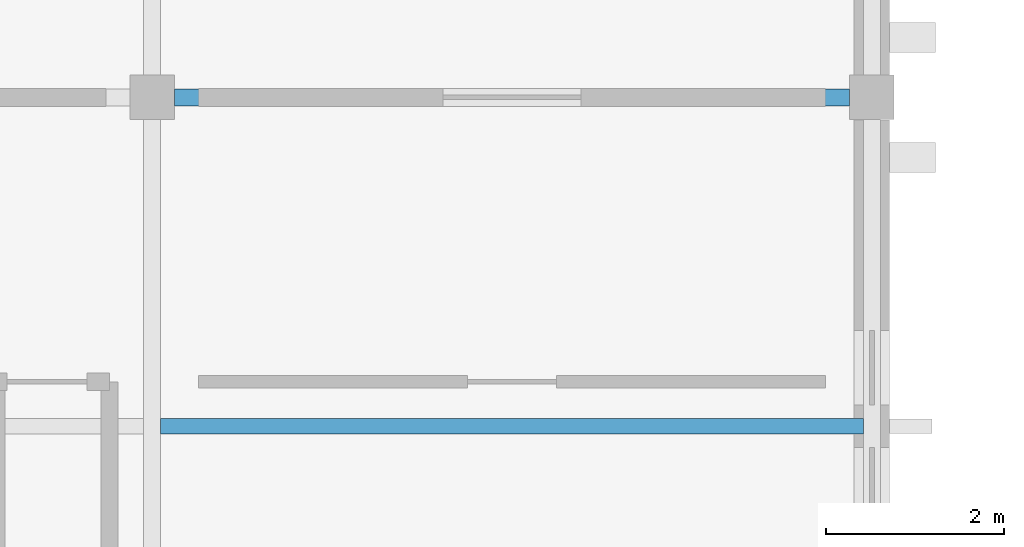
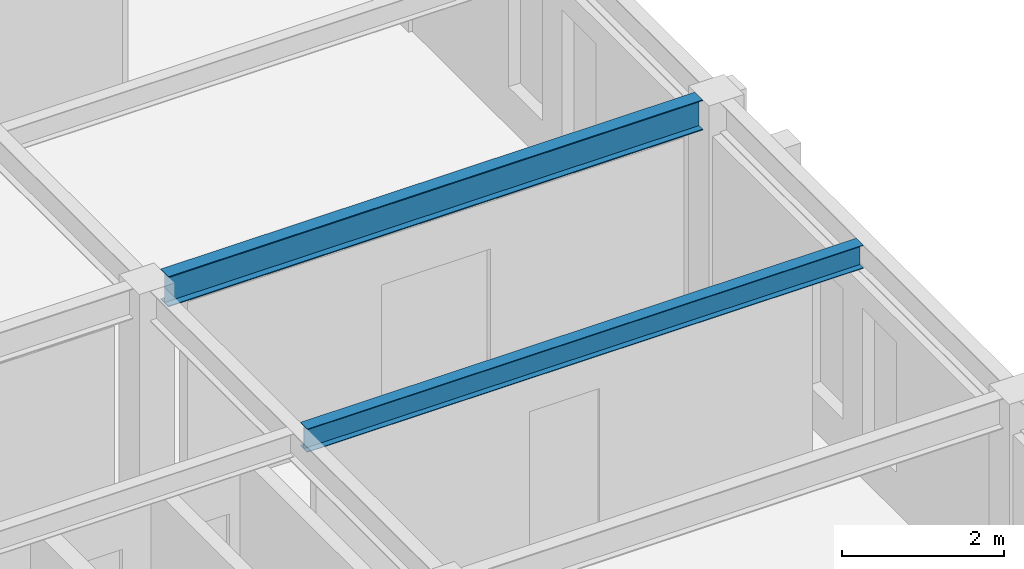
# One storey, part 37 of 93: 2 beams.
"""IFC4 building model written with IfcOpenShell, lengths in metres."""

import ifcopenshell
import ifcopenshell.guid

model = None  # the IFC model being written
_history = None  # IfcOwnerHistory: only IFC2X3 demands one
_inside = {}  # id of a spatial element -> (the spatial element, [elements in it])
_under = {}  # id of a project, library or spatial element -> (it, [spatial elements below it])
_declared = {}  # id of a project -> (the project, [libraries it declares])
_typed = {}  # id of a type object -> (the type object, [elements of that type])
_made_of = {}  # id of a material, layer set ... -> (it, [elements and type objects made of it])


def new_model(schema):
    """Start an empty IFC model of exactly this schema.

    Asked for "IFC4X3", IfcOpenShell would pick the latest addendum, in which some entities
    have other attributes; the version numbers below select the first issue.
    IFC2X3 requires an IfcOwnerHistory on every rooted entity: one is made here for all.
    """
    global model, _history
    if schema == "IFC4X3":
        model = ifcopenshell.file(schema_version=(4, 3, 0, 0))
    else:
        model = ifcopenshell.file(schema=schema)
    _inside.clear()
    _under.clear()
    _declared.clear()
    _typed.clear()
    _made_of.clear()
    _history = None
    if model.schema == "IFC2X3":
        org = make("IfcOrganization", Name="unknown")
        user = make(
            "IfcPersonAndOrganization",
            ThePerson=make("IfcPerson", FamilyName="unknown"),
            TheOrganization=org,
        )
        app = make(
            "IfcApplication",
            ApplicationDeveloper=org,
            Version="unknown",
            ApplicationFullName="unknown",
            ApplicationIdentifier="unknown",
        )
        _history = make(
            "IfcOwnerHistory",
            OwningUser=user,
            OwningApplication=app,
            ChangeAction="ADDED",
            CreationDate=0,
        )
    return model


def make(cls, **values):
    """One entity of the class cls with the attributes given. An attribute that is None is left unset."""
    return model.create_entity(
        cls, **{name: value for name, value in values.items() if value is not None}
    )


def rooted(cls, **values):
    """An entity with a GlobalId (a new one), such as an element, a storey or a relation."""
    return make(cls, GlobalId=ifcopenshell.guid.new(), OwnerHistory=_history, **values)


def si_unit(unit_type, name, prefix=None):
    """IfcSIUnit, for example si_unit("LENGTHUNIT", "METRE", prefix="MILLI")."""
    return make("IfcSIUnit", UnitType=unit_type, Prefix=prefix, Name=name)


def assignment(units):
    """IfcUnitAssignment: the units of a project."""
    return None if units is None else make("IfcUnitAssignment", Units=units)


def point(xyz):
    """IfcCartesianPoint."""
    return None if xyz is None else make("IfcCartesianPoint", Coordinates=xyz)


def direction(xyz):
    """IfcDirection."""
    return None if xyz is None else make("IfcDirection", DirectionRatios=xyz)


def frame(location, z_axis=None, x_axis=None):
    """IfcAxis2Placement3D, a coordinate frame: its origin and axes. An axis left out is left unset."""
    return make(
        "IfcAxis2Placement3D",
        Location=point(location),
        Axis=direction(z_axis),
        RefDirection=direction(x_axis),
    )


def frame_2d(location, x_axis=None):
    """IfcAxis2Placement2D, a coordinate frame in the plane: its origin and x axis."""
    return make(
        "IfcAxis2Placement2D", Location=point(location), RefDirection=direction(x_axis)
    )


def origin():
    """The frame at (0, 0, 0) with its axes left unset."""
    return frame((0.0, 0.0, 0.0))


def origin_2d():
    """The frame at (0, 0) in the plane with its x axis left unset."""
    return frame_2d((0.0, 0.0))


def place(relative_to, where):
    """IfcLocalPlacement: puts the frame where relative to a parent placement (None: the world)."""
    return make(
        "IfcLocalPlacement", PlacementRelTo=relative_to, RelativePlacement=where
    )


def context(
    kind, dimensions, precision=None, world=None, true_north=None, identifier=None
):
    """IfcGeometricRepresentationContext, for example the 3D "Model" context."""
    return make(
        "IfcGeometricRepresentationContext",
        ContextIdentifier=identifier,
        ContextType=kind,
        CoordinateSpaceDimension=dimensions,
        Precision=precision,
        WorldCoordinateSystem=world,
        TrueNorth=true_north,
    )


def subcontext(parent, identifier, kind, view, scale=None):
    """IfcGeometricRepresentationSubContext, for example "Body" below "Model"."""
    return make(
        "IfcGeometricRepresentationSubContext",
        ContextIdentifier=identifier,
        ContextType=kind,
        ParentContext=parent,
        TargetScale=scale,
        TargetView=view,
    )


def project(units=None, contexts=None):
    """IfcProject with its units and contexts."""
    return rooted(
        "IfcProject",
        Name="project",
        RepresentationContexts=contexts,
        UnitsInContext=assignment(units),
    )


def spatial(cls, under=None, at=None, **own):
    """A site, building, storey or space (cls), placed at a placement, below another one or the project."""
    s = rooted(cls, ObjectPlacement=at, **own)
    if under is not None:
        _under.setdefault(under.id(), (under, []))[1].append(s)
    return s


def profile(cls, at=None, kind="AREA", **sizes):
    """A parametric profile (cls). Its sizes go by their IFC names, for example OverallWidth=200.0."""
    return make(cls, ProfileType=kind, Position=at, **sizes)


def i_section(**sizes):
    """IfcIShapeProfileDef."""
    return profile("IfcIShapeProfileDef", **sizes)


def extrude(swept, where, along, depth):
    """IfcExtrudedAreaSolid: the profile swept, set in the frame where, extruded along a direction by depth."""
    return make(
        "IfcExtrudedAreaSolid",
        SweptArea=swept,
        Position=where,
        ExtrudedDirection=direction(along),
        Depth=depth,
    )


def shape(context_of_items, identifier, shape_type, items):
    """IfcShapeRepresentation: the items that make up one representation, for example the "Body"."""
    return make(
        "IfcShapeRepresentation",
        ContextOfItems=context_of_items,
        RepresentationIdentifier=identifier,
        RepresentationType=shape_type,
        Items=items,
    )


def material(Name=None, Category=None):
    """IfcMaterial."""
    return make("IfcMaterial", Name=Name, Category=Category)


def material_profile(
    of_material, cross_section, Name=None, Category=None, Priority=None
):
    """IfcMaterialProfile: a cross section and its material."""
    return make(
        "IfcMaterialProfile",
        Name=Name,
        Material=of_material,
        Profile=cross_section,
        Priority=Priority,
        Category=Category,
    )


def profile_set(profiles, Name=None, composite=None):
    """IfcMaterialProfileSet."""
    return make(
        "IfcMaterialProfileSet",
        Name=Name,
        MaterialProfiles=profiles,
        CompositeProfile=composite,
    )


def made_of(thing, what):
    """Note that an element or type object is made of a material, layer set ...; save() writes the relation."""
    if what is not None:
        _made_of.setdefault(what.id(), (what, []))[1].append(thing)
    return thing


def type_object(cls, material=None, **own):
    """A type object (cls), such as IfcWallType, which elements share."""
    return made_of(rooted(cls, **own), material)


def element(
    cls,
    number,
    at=None,
    inside=None,
    cuts=None,
    type_object=None,
    material=None,
    context=None,
    identifier="Body",
    shape_type=None,
    held_by="IfcProductDefinitionShape",
    body=None,
    shapes=None,
    **own,
):
    """One element of the class cls, such as IfcWall. Its Tag is "e" and its number.

    at: its placement. inside: the storey or other place that contains it. cuts: it is an
    opening in that element (IfcRelVoidsElement). A single representation is given by context,
    identifier, shape_type and body (its items); several are given by shapes. held_by: the class
    of the entity that holds the representations. save() writes the other relations.
    """
    e = rooted(cls, Tag="e%d" % number, ObjectPlacement=at, **own)
    if body is not None:
        shapes = [shape(context, identifier, shape_type, body)]
    if shapes is not None:
        e.Representation = make(held_by, Representations=shapes)
    if inside is not None:
        _inside.setdefault(inside.id(), (inside, []))[1].append(e)
    if cuts is not None:
        rooted(
            "IfcRelVoidsElement", RelatingBuildingElement=cuts, RelatedOpeningElement=e
        )
    if type_object is not None:
        _typed.setdefault(type_object.id(), (type_object, []))[1].append(e)
    return made_of(e, material)


def aggregate(whole, parts):
    """IfcRelAggregates: a whole, such as a stair, and the parts it consists of."""
    return rooted("IfcRelAggregates", RelatingObject=whole, RelatedObjects=parts)


def save(model, path):
    """Write the relations noted so far, then the file.

    IfcRelAggregates (storeys below a building ...), IfcRelContainedInSpatialStructure (elements
    in a storey), IfcRelDefinesByType, IfcRelAssociatesMaterial and IfcRelDeclares: one each for
    every whole, place, type object, material and project.
    """
    for whole, parts in _under.values():
        aggregate(whole, parts)
    for where, things in _inside.values():
        rooted(
            "IfcRelContainedInSpatialStructure",
            RelatedElements=things,
            RelatingStructure=where,
        )
    for kind, things in _typed.values():
        rooted("IfcRelDefinesByType", RelatedObjects=things, RelatingType=kind)
    for what, things in _made_of.values():
        rooted("IfcRelAssociatesMaterial", RelatedObjects=things, RelatingMaterial=what)
    for by, libraries in _declared.values():
        rooted("IfcRelDeclares", RelatingContext=by, RelatedDefinitions=libraries)
    model.write(path)


model = new_model("IFC4")

# Units and contexts
model_context = context("Model", 3, precision=1e-05, world=origin(), true_north=direction((0.0, 1.0)))
body_context = subcontext(model_context, "Body", "Model", "MODEL_VIEW")
ifc_project = project(units=[si_unit("LENGTHUNIT", "METRE"), si_unit("AREAUNIT", "SQUARE_METRE"), si_unit("VOLUMEUNIT", "CUBIC_METRE"), si_unit("PLANEANGLEUNIT", "RADIAN"), si_unit("MASSUNIT", "GRAM", prefix="KILO")], contexts=[model_context])

# Site, building, storey
site_placement = place(None, origin())
site = spatial("IfcSite", under=ifc_project, at=site_placement, CompositionType="ELEMENT")
building_placement = place(site_placement, origin())
building = spatial("IfcBuilding", under=site, at=building_placement, Name="Cimatlan Art Gallery", CompositionType="ELEMENT")
storey_placement = place(building_placement, frame((0.0, 0.0, 13.800048828125)))
storey = spatial("IfcBuildingStorey", under=building, at=storey_placement, Name="L03", CompositionType="ELEMENT", Elevation=13.800048828125)

# Beams
ifc_material = material(Name="Steel ASTM A992 Grade 50", Category="steel")
ifc_material_profile_1 = material_profile(ifc_material, i_section(OverallWidth=0.1708984375, OverallDepth=0.35107421875, WebThickness=0.0068359375, FlangeThickness=0.009765625, at=origin_2d()), Name="W14X30")
ifc_profile_set_1 = profile_set([ifc_material_profile_1], Name="Steel ASTM A992 Grade 50")
beam_type_1 = type_object("IfcBeamType", Name="BM-STL-W14X30", PredefinedType="JOIST", material=ifc_profile_set_1)
beam_1_placement = place(storey_placement, frame((123.595458984375, 35.0, 3.204345703125), z_axis=(1.0, 0.0, 0.0), x_axis=(0.0, 1.0, 0.0)))
element("IfcBeam", 1, at=beam_1_placement, inside=storey, type_object=beam_type_1, Name="JST-L03-15-04", PredefinedType="JOIST", context=body_context, shape_type="SweptSolid", body=[
    extrude(i_section(OverallWidth=0.1708984375, OverallDepth=0.35107421875, WebThickness=0.0068359375, FlangeThickness=0.009765625, at=origin_2d()), origin(), (0.0, 0.0, 1.0), 7.908935546875),
])
ifc_material_profile_2 = material_profile(ifc_material, i_section(OverallWidth=0.19091796875, OverallDepth=0.45703125, WebThickness=0.009033203125, FlangeThickness=0.014404296875, at=origin_2d()), Name="W18X50")
ifc_profile_set_2 = profile_set([ifc_material_profile_2], Name="Steel ASTM A992 Grade 50")
beam_type_2 = type_object("IfcBeamType", Name="BM-STL-W18X50", PredefinedType="BEAM", material=ifc_profile_set_2)
beam_2_placement = place(storey_placement, frame((123.75, 38.699951171875, 3.1513671875), z_axis=(1.0, 0.0, 0.0), x_axis=(0.0, 1.0, 0.0)))
element("IfcBeam", 2, at=beam_2_placement, inside=storey, type_object=beam_type_2, Name="BM-X-L03-15-05", PredefinedType="BEAM", context=body_context, shape_type="SweptSolid", body=[
    extrude(i_section(OverallWidth=0.19091796875, OverallDepth=0.45703125, WebThickness=0.009033203125, FlangeThickness=0.014404296875, at=origin_2d()), origin(), (0.0, 0.0, 1.0), 7.60009765625),
])

save(model, "model.ifc")
